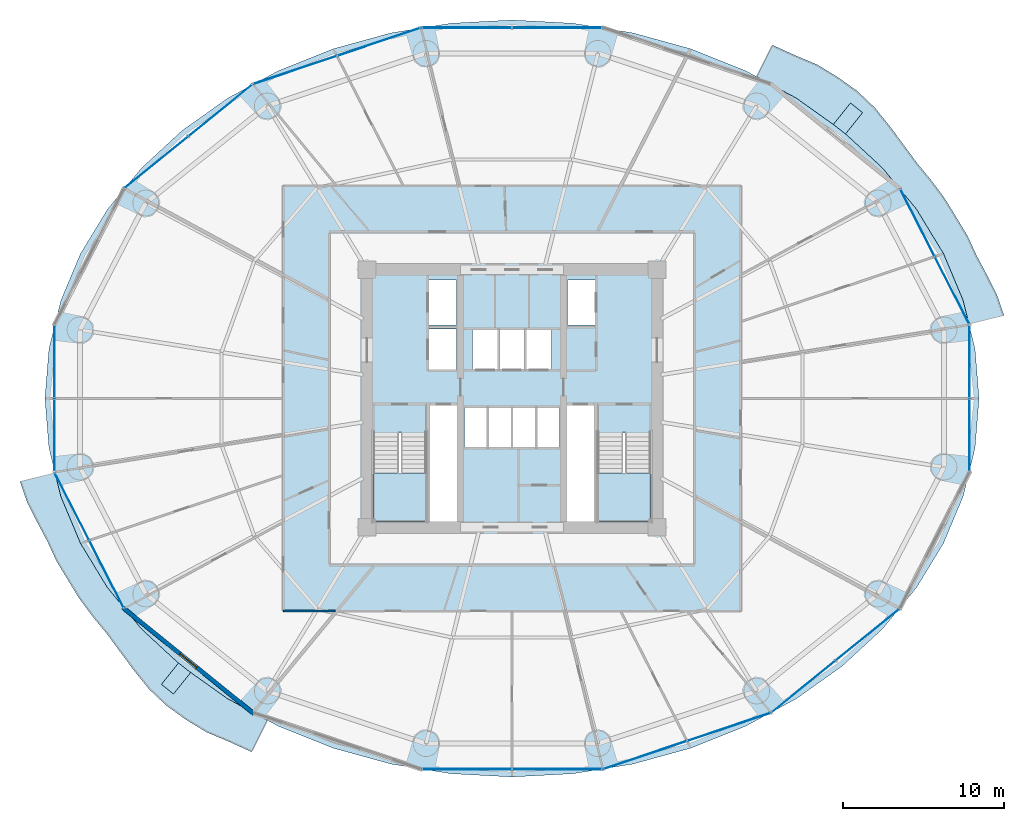
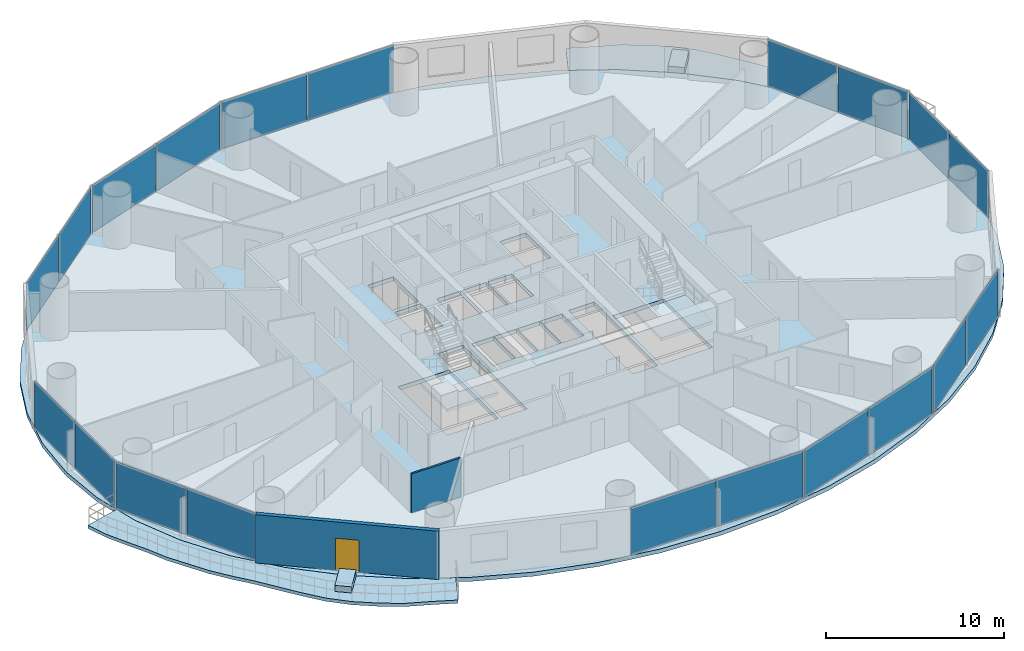
# One storey, part 21 of 29: 20 plates, 7 slabs, 2 walls, 1 door, 1 opening, 12 elements without a shape of their own.
"""IFC4 building model written with IfcOpenShell, lengths in metres."""

import ifcopenshell
import ifcopenshell.guid

model = None  # the IFC model being written
_history = None  # IfcOwnerHistory: only IFC2X3 demands one
_inside = {}  # id of a spatial element -> (the spatial element, [elements in it])
_under = {}  # id of a project, library or spatial element -> (it, [spatial elements below it])
_declared = {}  # id of a project -> (the project, [libraries it declares])
_typed = {}  # id of a type object -> (the type object, [elements of that type])
_made_of = {}  # id of a material, layer set ... -> (it, [elements and type objects made of it])


def new_model(schema):
    """Start an empty IFC model of exactly this schema.

    Asked for "IFC4X3", IfcOpenShell would pick the latest addendum, in which some entities
    have other attributes; the version numbers below select the first issue.
    IFC2X3 requires an IfcOwnerHistory on every rooted entity: one is made here for all.
    """
    global model, _history
    if schema == "IFC4X3":
        model = ifcopenshell.file(schema_version=(4, 3, 0, 0))
    else:
        model = ifcopenshell.file(schema=schema)
    _inside.clear()
    _under.clear()
    _declared.clear()
    _typed.clear()
    _made_of.clear()
    _history = None
    if model.schema == "IFC2X3":
        org = make("IfcOrganization", Name="unknown")
        user = make(
            "IfcPersonAndOrganization",
            ThePerson=make("IfcPerson", FamilyName="unknown"),
            TheOrganization=org,
        )
        app = make(
            "IfcApplication",
            ApplicationDeveloper=org,
            Version="unknown",
            ApplicationFullName="unknown",
            ApplicationIdentifier="unknown",
        )
        _history = make(
            "IfcOwnerHistory",
            OwningUser=user,
            OwningApplication=app,
            ChangeAction="ADDED",
            CreationDate=0,
        )
    return model


def make(cls, **values):
    """One entity of the class cls with the attributes given. An attribute that is None is left unset."""
    return model.create_entity(
        cls, **{name: value for name, value in values.items() if value is not None}
    )


def rooted(cls, **values):
    """An entity with a GlobalId (a new one), such as an element, a storey or a relation."""
    return make(cls, GlobalId=ifcopenshell.guid.new(), OwnerHistory=_history, **values)


def si_unit(unit_type, name, prefix=None):
    """IfcSIUnit, for example si_unit("LENGTHUNIT", "METRE", prefix="MILLI")."""
    return make("IfcSIUnit", UnitType=unit_type, Prefix=prefix, Name=name)


def assignment(units):
    """IfcUnitAssignment: the units of a project."""
    return None if units is None else make("IfcUnitAssignment", Units=units)


def point(xyz):
    """IfcCartesianPoint."""
    return None if xyz is None else make("IfcCartesianPoint", Coordinates=xyz)


def direction(xyz):
    """IfcDirection."""
    return None if xyz is None else make("IfcDirection", DirectionRatios=xyz)


def frame(location, z_axis=None, x_axis=None):
    """IfcAxis2Placement3D, a coordinate frame: its origin and axes. An axis left out is left unset."""
    return make(
        "IfcAxis2Placement3D",
        Location=point(location),
        Axis=direction(z_axis),
        RefDirection=direction(x_axis),
    )


def frame_2d(location, x_axis=None):
    """IfcAxis2Placement2D, a coordinate frame in the plane: its origin and x axis."""
    return make(
        "IfcAxis2Placement2D", Location=point(location), RefDirection=direction(x_axis)
    )


def origin():
    """The frame at (0, 0, 0) with its axes left unset."""
    return frame((0.0, 0.0, 0.0))


def origin_2d():
    """The frame at (0, 0) in the plane with its x axis left unset."""
    return frame_2d((0.0, 0.0))


def place(relative_to, where):
    """IfcLocalPlacement: puts the frame where relative to a parent placement (None: the world)."""
    return make(
        "IfcLocalPlacement", PlacementRelTo=relative_to, RelativePlacement=where
    )


def context(
    kind, dimensions, precision=None, world=None, true_north=None, identifier=None
):
    """IfcGeometricRepresentationContext, for example the 3D "Model" context."""
    return make(
        "IfcGeometricRepresentationContext",
        ContextIdentifier=identifier,
        ContextType=kind,
        CoordinateSpaceDimension=dimensions,
        Precision=precision,
        WorldCoordinateSystem=world,
        TrueNorth=true_north,
    )


def subcontext(parent, identifier, kind, view, scale=None):
    """IfcGeometricRepresentationSubContext, for example "Body" below "Model"."""
    return make(
        "IfcGeometricRepresentationSubContext",
        ContextIdentifier=identifier,
        ContextType=kind,
        ParentContext=parent,
        TargetScale=scale,
        TargetView=view,
    )


def project(units=None, contexts=None):
    """IfcProject with its units and contexts."""
    return rooted(
        "IfcProject",
        Name="project",
        RepresentationContexts=contexts,
        UnitsInContext=assignment(units),
    )


def spatial(cls, under=None, at=None, **own):
    """A site, building, storey or space (cls), placed at a placement, below another one or the project."""
    s = rooted(cls, ObjectPlacement=at, **own)
    if under is not None:
        _under.setdefault(under.id(), (under, []))[1].append(s)
    return s


def polyline(points):
    """IfcPolyline through the points."""
    return make("IfcPolyline", Points=[point(p) for p in points])


def profile(cls, at=None, kind="AREA", **sizes):
    """A parametric profile (cls). Its sizes go by their IFC names, for example OverallWidth=200.0."""
    return make(cls, ProfileType=kind, Position=at, **sizes)


def rectangle(**sizes):
    """IfcRectangleProfileDef."""
    return profile("IfcRectangleProfileDef", **sizes)


def outline(outer, holes=None, kind="AREA"):
    """IfcArbitraryClosedProfileDef: a profile drawn as a closed curve; with holes, ...WithVoids."""
    if holes is None:
        return make("IfcArbitraryClosedProfileDef", ProfileType=kind, OuterCurve=outer)
    return make(
        "IfcArbitraryProfileDefWithVoids",
        ProfileType=kind,
        OuterCurve=outer,
        InnerCurves=holes,
    )


def extrude(swept, where, along, depth):
    """IfcExtrudedAreaSolid: the profile swept, set in the frame where, extruded along a direction by depth."""
    return make(
        "IfcExtrudedAreaSolid",
        SweptArea=swept,
        Position=where,
        ExtrudedDirection=direction(along),
        Depth=depth,
    )


def shape(context_of_items, identifier, shape_type, items):
    """IfcShapeRepresentation: the items that make up one representation, for example the "Body"."""
    return make(
        "IfcShapeRepresentation",
        ContextOfItems=context_of_items,
        RepresentationIdentifier=identifier,
        RepresentationType=shape_type,
        Items=items,
    )


def source(mapping_origin, context_of_items, identifier, shape_type, items):
    """IfcRepresentationMap: a shape defined once, which mapped items show again and again."""
    return make(
        "IfcRepresentationMap",
        MappingOrigin=mapping_origin,
        MappedRepresentation=shape(context_of_items, identifier, shape_type, items),
    )


def transform(
    local_origin,
    x_axis=None,
    y_axis=None,
    z_axis=None,
    scale=None,
    scale2=None,
    scale3=None,
    uniform=True,
):
    """IfcCartesianTransformationOperator3D, or its non-uniform kind. x_axis, y_axis, z_axis: its Axis1, 2, 3."""
    if uniform:
        return make(
            "IfcCartesianTransformationOperator3D",
            Axis1=direction(x_axis),
            Axis2=direction(y_axis),
            LocalOrigin=point(local_origin),
            Scale=scale,
            Axis3=direction(z_axis),
        )
    return make(
        "IfcCartesianTransformationOperator3DnonUniform",
        Axis1=direction(x_axis),
        Axis2=direction(y_axis),
        LocalOrigin=point(local_origin),
        Scale=scale,
        Axis3=direction(z_axis),
        Scale2=scale2,
        Scale3=scale3,
    )


def mapped(mapping_source, mapping_target):
    """IfcMappedItem: shows the shape of a source again, moved by a transform."""
    return make(
        "IfcMappedItem", MappingSource=mapping_source, MappingTarget=mapping_target
    )


def material(Name=None, Category=None):
    """IfcMaterial."""
    return make("IfcMaterial", Name=Name, Category=Category)


def layer(
    of_material, thickness, ventilated=None, Name=None, Category=None, Priority=None
):
    """IfcMaterialLayer: one layer of a wall or slab, of a material (None: an air gap)."""
    return make(
        "IfcMaterialLayer",
        Material=of_material,
        LayerThickness=thickness,
        IsVentilated=ventilated,
        Name=Name,
        Category=Category,
        Priority=Priority,
    )


def layer_set(layers, Name=None):
    """IfcMaterialLayerSet."""
    return make("IfcMaterialLayerSet", MaterialLayers=layers, LayerSetName=Name)


def made_of(thing, what):
    """Note that an element or type object is made of a material, layer set ...; save() writes the relation."""
    if what is not None:
        _made_of.setdefault(what.id(), (what, []))[1].append(thing)
    return thing


def type_object(cls, material=None, **own):
    """A type object (cls), such as IfcWallType, which elements share."""
    return made_of(rooted(cls, **own), material)


def element(
    cls,
    number,
    at=None,
    inside=None,
    cuts=None,
    type_object=None,
    material=None,
    context=None,
    identifier="Body",
    shape_type=None,
    held_by="IfcProductDefinitionShape",
    body=None,
    shapes=None,
    **own,
):
    """One element of the class cls, such as IfcWall. Its Tag is "e" and its number.

    at: its placement. inside: the storey or other place that contains it. cuts: it is an
    opening in that element (IfcRelVoidsElement). A single representation is given by context,
    identifier, shape_type and body (its items); several are given by shapes. held_by: the class
    of the entity that holds the representations. save() writes the other relations.
    """
    e = rooted(cls, Tag="e%d" % number, ObjectPlacement=at, **own)
    if body is not None:
        shapes = [shape(context, identifier, shape_type, body)]
    if shapes is not None:
        e.Representation = make(held_by, Representations=shapes)
    if inside is not None:
        _inside.setdefault(inside.id(), (inside, []))[1].append(e)
    if cuts is not None:
        rooted(
            "IfcRelVoidsElement", RelatingBuildingElement=cuts, RelatedOpeningElement=e
        )
    if type_object is not None:
        _typed.setdefault(type_object.id(), (type_object, []))[1].append(e)
    return made_of(e, material)


def fill(opening, filler):
    """IfcRelFillsElement: the door or window that sits in an opening."""
    return rooted(
        "IfcRelFillsElement",
        RelatingOpeningElement=opening,
        RelatedBuildingElement=filler,
    )


def aggregate(whole, parts):
    """IfcRelAggregates: a whole, such as a stair, and the parts it consists of."""
    return rooted("IfcRelAggregates", RelatingObject=whole, RelatedObjects=parts)


def save(model, path):
    """Write the relations noted so far, then the file.

    IfcRelAggregates (storeys below a building ...), IfcRelContainedInSpatialStructure (elements
    in a storey), IfcRelDefinesByType, IfcRelAssociatesMaterial and IfcRelDeclares: one each for
    every whole, place, type object, material and project.
    """
    for whole, parts in _under.values():
        aggregate(whole, parts)
    for where, things in _inside.values():
        rooted(
            "IfcRelContainedInSpatialStructure",
            RelatedElements=things,
            RelatingStructure=where,
        )
    for kind, things in _typed.values():
        rooted("IfcRelDefinesByType", RelatedObjects=things, RelatingType=kind)
    for what, things in _made_of.values():
        rooted("IfcRelAssociatesMaterial", RelatedObjects=things, RelatingMaterial=what)
    for by, libraries in _declared.values():
        rooted("IfcRelDeclares", RelatingContext=by, RelatedDefinitions=libraries)
    model.write(path)


model = new_model("IFC4")

# Units and contexts
model_context = context("Model", 3, precision=1e-05, world=origin(), true_north=direction((-0.2419218956, 0.970295726276)))
body_context = subcontext(model_context, "Body", "Model", "MODEL_VIEW")
ifc_project = project(units=[si_unit("LENGTHUNIT", "METRE"), si_unit("AREAUNIT", "SQUARE_METRE"), si_unit("VOLUMEUNIT", "CUBIC_METRE"), si_unit("PLANEANGLEUNIT", "RADIAN"), si_unit("MASSUNIT", "GRAM", prefix="KILO")], contexts=[model_context])

# Site, building, storey
site_placement = place(None, origin())
site = spatial("IfcSite", under=ifc_project, at=site_placement, CompositionType="ELEMENT")
building_placement = place(site_placement, origin())
building = spatial("IfcBuilding", under=site, at=building_placement, Name="Cobrevalo Terracotta Tower", CompositionType="ELEMENT")
storey_placement = place(building_placement, frame((0.0, 0.0, 49.199951171875)))
storey = spatial("IfcBuildingStorey", under=building, at=storey_placement, Name="L12", CompositionType="ELEMENT", Elevation=49.199951171875)

# Stair, slab
ifc_material_1 = material(Name="Concrete C50", Category="concrete")
stair_type = type_object("IfcStairType", Name="Core protected escape dogleg stair 1600", PredefinedType="HALF_TURN_STAIR", material=ifc_material_1)
stair_1_placement = place(storey_placement, origin())
stair_1 = element("IfcStair", 1, at=stair_1_placement, inside=storey, type_object=stair_type, Name="L12 Protected exit stair ST-1", PredefinedType="HALF_TURN_STAIR")
ifc_layer_1 = layer(ifc_material_1, 0.199951171875)
ifc_layer_set_1 = layer_set([ifc_layer_1], Name="Concrete C50")
slab_type_1 = type_object("IfcSlabType", Name="Reinforced Concrete Stair Landing 200", PredefinedType="LANDING", material=ifc_layer_set_1)
slab_1_placement = place(storey_placement, frame((0.0, 0.0, 1.60009765625)))
slab_1 = element("IfcSlab", 2, at=slab_1_placement, type_object=slab_type_1, Name="ST-1 landing 1", PredefinedType="LANDING", context=body_context, shape_type="SweptSolid", body=[
    extrude(outline(polyline([(29.375, 22.179931640625), (29.375, 19.175048828125), (32.695068359375, 19.175048828125), (32.695068359375, 22.179931640625), (29.375, 22.179931640625)])), origin(), (0.0, 0.0, 1.0), 0.199951171875),
])
aggregate(stair_1, [slab_1])

stair_2_placement = place(storey_placement, origin())
stair_2 = element("IfcStair", 3, at=stair_2_placement, inside=storey, type_object=stair_type, Name="L12 Protected exit stair ST-2", PredefinedType="HALF_TURN_STAIR")
slab_2_placement = place(storey_placement, frame((0.0, 0.0, 1.60009765625)))
slab_2 = element("IfcSlab", 4, at=slab_2_placement, type_object=slab_type_1, Name="ST-2 landing 1", PredefinedType="LANDING", context=body_context, shape_type="SweptSolid", body=[
    extrude(outline(polyline([(43.304931640625, 22.179931640625), (43.304931640625, 19.175048828125), (46.625, 19.175048828125), (46.625, 22.179931640625), (43.304931640625, 22.179931640625)])), origin(), (0.0, 0.0, 1.0), 0.199951171875),
])
aggregate(stair_2, [slab_2])

# Slabs
ifc_material_2 = material(Name="Concrete C45", Category="concrete")
ifc_layer_2 = layer(ifc_material_2, 0.219970703125)
ifc_layer_set_2 = layer_set([ifc_layer_2], Name="Concrete C45")
slab_type_2 = type_object("IfcSlabType", Name="Spiralling cantilevered balcony lobe slab 220 mm", PredefinedType="FLOOR", material=ifc_layer_set_2)
slab_3_placement = place(storey_placement, frame((0.0, 0.0, -0.219970703125)))
element("IfcSlab", 5, at=slab_3_placement, inside=storey, type_object=slab_type_2, Name="L12 spiralling arc balcony slab lobe 1", PredefinedType="FLOOR", context=body_context, shape_type="SweptSolid", body=[
    extrude(outline(polyline([(68.548095703125, 31.958740234375), (68.10693359375, 33.23681640625), (67.493408203125, 34.4560546875), (66.855712890625, 35.653564453125), (66.29296875, 36.87939453125), (65.5830078125, 38.052490234375), (64.869140625, 39.220947265625), (64.041259765625, 40.332763671875), (63.152099609375, 41.412109375), (62.31787109375, 42.546875), (61.44775390625, 43.71728515625), (60.522705078125, 44.862060546875), (59.446044921875, 45.878173828125), (58.230224609375, 46.74951171875), (56.95654296875, 47.52392578125), (55.547119140625, 48.118408203125), (54.171630859375, 48.744873046875), (53.190673828125, 46.780029296875), (55.6552734375, 45.4453125), (58.507568359375, 43.41845703125), (61.0087890625, 41.107177734375), (63.116455078125, 38.551025390625), (64.79443359375, 35.7939453125), (66.013671875, 32.8828125), (66.373046875, 31.41943359375), (68.548095703125, 31.958740234375)])), origin(), (0.0, 0.0, 1.0), 0.219970703125),
])
slab_4_placement = place(storey_placement, frame((0.0, 0.0, -0.219970703125)))
element("IfcSlab", 6, at=slab_4_placement, inside=storey, type_object=slab_type_2, Name="L12 spiralling arc balcony slab lobe 2", PredefinedType="FLOOR", context=body_context, shape_type="SweptSolid", body=[
    extrude(outline(polyline([(7.451904296875, 21.64111328125), (7.89306640625, 20.363037109375), (8.506591796875, 19.14404296875), (9.144287109375, 17.9462890625), (9.70703125, 16.720703125), (10.4169921875, 15.54736328125), (11.130859375, 14.379150390625), (11.958740234375, 13.267333984375), (12.847900390625, 12.187744140625), (13.68212890625, 11.052978515625), (14.55224609375, 9.882568359375), (15.477294921875, 8.73779296875), (16.553955078125, 7.7216796875), (17.769775390625, 6.850341796875), (19.04345703125, 6.075927734375), (20.452880859375, 5.481689453125), (21.828369140625, 4.85498046875), (22.809326171875, 6.820068359375), (20.3447265625, 8.154541015625), (17.492431640625, 10.181640625), (14.9912109375, 12.492919921875), (12.883544921875, 15.049072265625), (11.20556640625, 17.80615234375), (9.986328125, 20.71728515625), (9.626953125, 22.180419921875), (7.451904296875, 21.64111328125)])), origin(), (0.0, 0.0, 1.0), 0.219970703125),
])
ifc_material_3 = material(Name="Precast concrete C45", Category="concrete")
ifc_layer_3 = layer(ifc_material_3, 0.419921875)
ifc_layer_set_3 = layer_set([ifc_layer_3], Name="Precast concrete C45")
slab_type_3 = type_object("IfcSlabType", Name="Structural tree planter trough base 420 mm", PredefinedType="USERDEFINED", material=ifc_layer_set_3)
slab_5_placement = place(storey_placement, origin())
element("IfcSlab", 7, at=slab_5_placement, inside=storey, type_object=slab_type_3, Name="L12 structural tree planter trough 1", ObjectType="PLANTER", PredefinedType="USERDEFINED", context=body_context, shape_type="SweptSolid", body=[
    extrude(outline(polyline([(58.706298828125, 43.2197265625), (59.766845703125, 44.548583984375), (59.016357421875, 45.1474609375), (57.9560546875, 43.818603515625), (58.706298828125, 43.2197265625)])), origin(), (0.0, 0.0, 1.0), 0.420166015625),
])
slab_6_placement = place(storey_placement, origin())
element("IfcSlab", 8, at=slab_6_placement, inside=storey, type_object=slab_type_3, Name="L12 structural tree planter trough 2", ObjectType="PLANTER", PredefinedType="USERDEFINED", context=body_context, shape_type="SweptSolid", body=[
    extrude(outline(polyline([(17.293701171875, 10.380126953125), (16.233154296875, 9.051513671875), (16.983642578125, 8.45263671875), (18.0439453125, 9.78125), (17.293701171875, 10.380126953125)])), origin(), (0.0, 0.0, 1.0), 0.420166015625),
])
ifc_layer_4 = layer(ifc_material_1, 0.280029296875)
ifc_layer_set_4 = layer_set([ifc_layer_4], Name="Concrete C50")
slab_type_4 = type_object("IfcSlabType", Name="Zone Z1 elliptical floor plate 280 mm", PredefinedType="FLOOR", material=ifc_layer_set_4)
slab_7_placement = place(storey_placement, frame((0.0, 0.0, -0.280029296875)))
element("IfcSlab", 9, at=slab_7_placement, inside=storey, type_object=slab_type_4, Name="L12 indoor elliptical floor slab", PredefinedType="FLOOR", context=body_context, shape_type="SweptSolid", body=[
    extrude(outline(polyline([(66.751953125, 23.732666015625), (66.011962890625, 20.7177734375), (64.79248046875, 17.806884765625), (63.11474609375, 15.050048828125), (61.00732421875, 12.494140625), (58.506103515625, 10.18310546875), (55.654052734375, 8.15625), (52.5, 6.448486328125), (49.097900390625, 5.0888671875), (45.505859375, 4.100830078125), (41.78515625, 3.5009765625), (38.0, 3.300048828125), (34.21484375, 3.5009765625), (30.494140625, 4.100830078125), (26.902099609375, 5.0888671875), (23.5, 6.448486328125), (20.345947265625, 8.15625), (17.493896484375, 10.18310546875), (14.99267578125, 12.494140625), (12.88525390625, 15.050048828125), (11.20751953125, 17.806884765625), (9.988037109375, 20.7177734375), (9.248046875, 23.732666015625), (9.0, 26.800048828125), (9.248046875, 29.867431640625), (9.988037109375, 32.88232421875), (11.20751953125, 35.79296875), (12.88525390625, 38.550048828125), (14.99267578125, 41.10595703125), (17.493896484375, 43.4169921875), (20.345947265625, 45.44384765625), (23.5, 47.151611328125), (26.902099609375, 48.51123046875), (30.494140625, 49.499267578125), (34.21484375, 50.098876953125), (38.0, 50.300048828125), (41.78515625, 50.098876953125), (45.505859375, 49.499267578125), (49.097900390625, 48.51123046875), (52.5, 47.151611328125), (55.654052734375, 45.44384765625), (58.506103515625, 43.4169921875), (61.00732421875, 41.10595703125), (63.11474609375, 38.550048828125), (64.79248046875, 35.79296875), (66.011962890625, 32.88232421875), (66.751953125, 29.867431640625), (67.0, 26.800048828125), (66.751953125, 23.732666015625)]), holes=[polyline([(32.695068359375, 19.175048828125), (32.695068359375, 24.659912109375), (29.375, 24.659912109375), (29.375, 19.175048828125), (32.695068359375, 19.175048828125)]), polyline([(34.574951171875, 19.175048828125), (34.574951171875, 26.360107421875), (32.919921875, 26.360107421875), (32.919921875, 19.175048828125), (34.574951171875, 19.175048828125)]), polyline([(36.47998046875, 23.800048828125), (36.47998046875, 26.25), (35.050048828125, 26.25), (35.050048828125, 23.800048828125), (36.47998046875, 23.800048828125)]), polyline([(37.9599609375, 23.800048828125), (37.9599609375, 26.25), (36.530029296875, 26.25), (36.530029296875, 23.800048828125), (37.9599609375, 23.800048828125)]), polyline([(37.1201171875, 28.60009765625), (37.1201171875, 31.050048828125), (35.550048828125, 31.050048828125), (35.550048828125, 28.60009765625), (37.1201171875, 28.60009765625)]), polyline([(34.550048828125, 28.60009765625), (34.550048828125, 31.10009765625), (32.85009765625, 31.10009765625), (32.85009765625, 28.60009765625), (34.550048828125, 28.60009765625)]), polyline([(34.550048828125, 31.35009765625), (34.550048828125, 34.14990234375), (32.85009765625, 34.14990234375), (32.85009765625, 31.35009765625), (34.550048828125, 31.35009765625)]), polyline([(46.625, 19.175048828125), (46.625, 24.659912109375), (43.304931640625, 24.659912109375), (43.304931640625, 19.175048828125), (46.625, 19.175048828125)]), polyline([(43.080078125, 19.175048828125), (43.080078125, 26.360107421875), (41.425048828125, 26.360107421875), (41.425048828125, 19.175048828125), (43.080078125, 19.175048828125)]), polyline([(39.469970703125, 23.800048828125), (39.469970703125, 26.25), (38.0400390625, 26.25), (38.0400390625, 23.800048828125), (39.469970703125, 23.800048828125)]), polyline([(40.949951171875, 23.800048828125), (40.949951171875, 26.25), (39.52001953125, 26.25), (39.52001953125, 23.800048828125), (40.949951171875, 23.800048828125)]), polyline([(38.780029296875, 28.60009765625), (38.780029296875, 31.050048828125), (37.219970703125, 31.050048828125), (37.219970703125, 28.60009765625), (38.780029296875, 28.60009765625)]), polyline([(40.449951171875, 28.60009765625), (40.449951171875, 31.050048828125), (38.8798828125, 31.050048828125), (38.8798828125, 28.60009765625), (40.449951171875, 28.60009765625)]), polyline([(43.14990234375, 31.35009765625), (43.14990234375, 34.14990234375), (41.449951171875, 34.14990234375), (41.449951171875, 31.35009765625), (43.14990234375, 31.35009765625)])]), origin(), (0.0, 0.0, 1.0), 0.280029296875),
])

# Curtain wall, plates
ifc_material_4 = material(Name="Anodized aluminium", Category="aluminium")
curtain_wall_type = type_object("IfcCurtainWallType", Name="Lower-tower unitised acoustic low-E curtain wall CW-U1", PredefinedType="NOTDEFINED", material=ifc_material_4)
curtain_wall_1_placement = place(storey_placement, origin())
curtain_wall_1 = element("IfcCurtainWall", 10, at=curtain_wall_1_placement, inside=storey, type_object=curtain_wall_type, Name="L12 curtain wall CW-L12-S06", PredefinedType="NOTDEFINED")
ifc_material_5 = material(Name="Solar-control low-E double glazing", Category="glass")
ifc_layer_5 = layer(ifc_material_5, 0.028076171875)
ifc_layer_set_5 = layer_set([ifc_layer_5], Name="Solar-control low-E double glazing")
plate_type = type_object("IfcPlateType", Name="Tower solar-control low-E vision glass panel 28 mm", PredefinedType="CURTAIN_PANEL", material=ifc_layer_set_5)
shared_shape_1 = source(origin(), body_context, "Body", "SweptSolid", [
    extrude(rectangle(XDim=5.023193359375, YDim=0.035888671875, at=origin_2d()), origin(), (0.0, 0.0, 1.0), 3.239990234375),
])
plate_1_placement = place(storey_placement, frame((19.891357421875, 44.68310546875, 0.0400390625), z_axis=(0.0, 0.0, 1.0), x_axis=(-0.777007547884, -0.629491279154, 0.0)))
plate_1 = element("IfcPlate", 11, at=plate_1_placement, type_object=plate_type, Name="CW-L12-S06 glazing panel B01", PredefinedType="CURTAIN_PANEL", context=body_context, shape_type="MappedRepresentation", body=[
    mapped(shared_shape_1, transform((0.0, 0.0, 0.0), scale=1.0)),
])
plate_2_placement = place(storey_placement, frame((15.926025390625, 41.470703125, 0.0400390625), z_axis=(0.0, 0.0, 1.0), x_axis=(-0.777007547884, -0.629491279154, 0.0)))
plate_2 = element("IfcPlate", 12, at=plate_2_placement, type_object=plate_type, Name="CW-L12-S06 glazing panel B02", PredefinedType="CURTAIN_PANEL", context=body_context, shape_type="MappedRepresentation", body=[
    mapped(shared_shape_1, transform((0.0, 0.0, 0.0), scale=1.0)),
])
aggregate(curtain_wall_1, [plate_1, plate_2])

curtain_wall_2_placement = place(storey_placement, origin())
curtain_wall_2 = element("IfcCurtainWall", 13, at=curtain_wall_2_placement, inside=storey, type_object=curtain_wall_type, Name="L12 curtain wall CW-L12-S14", PredefinedType="NOTDEFINED")
plate_3_placement = place(storey_placement, frame((56.108642578125, 8.916748046875, 0.0400390625), z_axis=(0.0, 0.0, 1.0), x_axis=(0.777007547884, 0.629491279154, 0.0)))
plate_3 = element("IfcPlate", 14, at=plate_3_placement, type_object=plate_type, Name="CW-L12-S14 glazing panel B01", PredefinedType="CURTAIN_PANEL", context=body_context, shape_type="MappedRepresentation", body=[
    mapped(shared_shape_1, transform((0.0, 0.0, 0.0), scale=1.0)),
])
plate_4_placement = place(storey_placement, frame((60.073974609375, 12.12939453125, 0.0400390625), z_axis=(0.0, 0.0, 1.0), x_axis=(0.777007547884, 0.629491279154, 0.0)))
plate_4 = element("IfcPlate", 15, at=plate_4_placement, type_object=plate_type, Name="CW-L12-S14 glazing panel B02", PredefinedType="CURTAIN_PANEL", context=body_context, shape_type="MappedRepresentation", body=[
    mapped(shared_shape_1, transform((0.0, 0.0, 0.0), scale=1.0)),
])
aggregate(curtain_wall_2, [plate_3, plate_4])

curtain_wall_3_placement = place(storey_placement, origin())
curtain_wall_3 = element("IfcCurtainWall", 16, at=curtain_wall_3_placement, inside=storey, type_object=curtain_wall_type, Name="L12 curtain wall CW-L12-S05", PredefinedType="NOTDEFINED")
shared_shape_2 = source(origin(), body_context, "Body", "SweptSolid", [
    extrude(rectangle(XDim=5.3876953125, YDim=0.035888671875, at=origin_2d()), origin(), (0.0, 0.0, 1.0), 3.239990234375),
])
plate_5_placement = place(storey_placement, frame((29.718505859375, 48.9365234375, 0.0400390625), z_axis=(0.0, 0.0, 1.0), x_axis=(-0.948044172593, -0.318138722592, 0.0)))
plate_5 = element("IfcPlate", 17, at=plate_5_placement, type_object=plate_type, Name="CW-L12-S05 glazing panel B01", PredefinedType="CURTAIN_PANEL", context=body_context, shape_type="MappedRepresentation", body=[
    mapped(shared_shape_2, transform((0.0, 0.0, 0.0), scale=1.0)),
])
plate_6_placement = place(storey_placement, frame((24.534912109375, 47.197021484375, 0.0400390625), z_axis=(0.0, 0.0, 1.0), x_axis=(-0.948044172593, -0.318138722592, 0.0)))
plate_6 = element("IfcPlate", 18, at=plate_6_placement, type_object=plate_type, Name="CW-L12-S05 glazing panel B02", PredefinedType="CURTAIN_PANEL", context=body_context, shape_type="MappedRepresentation", body=[
    mapped(shared_shape_2, transform((0.0, 0.0, 0.0), scale=1.0)),
])
aggregate(curtain_wall_3, [plate_5, plate_6])

curtain_wall_4_placement = place(storey_placement, origin())
curtain_wall_4 = element("IfcCurtainWall", 19, at=curtain_wall_4_placement, inside=storey, type_object=curtain_wall_type, Name="L12 curtain wall CW-L12-S13", PredefinedType="NOTDEFINED")
plate_7_placement = place(storey_placement, frame((46.281494140625, 4.663330078125, 0.0400390625), z_axis=(0.0, 0.0, 1.0), x_axis=(0.948044172593, 0.318138722592, 0.0)))
plate_7 = element("IfcPlate", 20, at=plate_7_placement, type_object=plate_type, Name="CW-L12-S13 glazing panel B01", PredefinedType="CURTAIN_PANEL", context=body_context, shape_type="MappedRepresentation", body=[
    mapped(shared_shape_2, transform((0.0, 0.0, 0.0), scale=1.0)),
])
plate_8_placement = place(storey_placement, frame((51.465087890625, 6.40283203125, 0.0400390625), z_axis=(0.0, 0.0, 1.0), x_axis=(0.948044172593, 0.318138722592, 0.0)))
plate_8 = element("IfcPlate", 21, at=plate_8_placement, type_object=plate_type, Name="CW-L12-S13 glazing panel B02", PredefinedType="CURTAIN_PANEL", context=body_context, shape_type="MappedRepresentation", body=[
    mapped(shared_shape_2, transform((0.0, 0.0, 0.0), scale=1.0)),
])
aggregate(curtain_wall_4, [plate_7, plate_8])

curtain_wall_5_placement = place(storey_placement, origin())
curtain_wall_5 = element("IfcCurtainWall", 22, at=curtain_wall_5_placement, inside=storey, type_object=curtain_wall_type, Name="L12 curtain wall CW-L12-S04", PredefinedType="NOTDEFINED")
shared_shape_3 = source(origin(), body_context, "Body", "SweptSolid", [
    extrude(rectangle(XDim=5.53173828125, YDim=0.035888671875, at=origin_2d()), origin(), (0.0, 0.0, 1.0), 3.239990234375),
])
plate_9_placement = place(storey_placement, frame((40.805908203125, 49.819091796875, 0.0400390625), z_axis=(0.0, 0.0, 1.0), x_axis=(-1.0, 0.0, 0.0)))
plate_9 = element("IfcPlate", 23, at=plate_9_placement, type_object=plate_type, Name="CW-L12-S04 glazing panel B01", PredefinedType="CURTAIN_PANEL", context=body_context, shape_type="MappedRepresentation", body=[
    mapped(shared_shape_3, transform((0.0, 0.0, 0.0), scale=1.0)),
])
plate_10_placement = place(storey_placement, frame((35.194091796875, 49.819091796875, 0.0400390625), z_axis=(0.0, 0.0, 1.0), x_axis=(-1.0, 0.0, 0.0)))
plate_10 = element("IfcPlate", 24, at=plate_10_placement, type_object=plate_type, Name="CW-L12-S04 glazing panel B02", PredefinedType="CURTAIN_PANEL", context=body_context, shape_type="MappedRepresentation", body=[
    mapped(shared_shape_3, transform((0.0, 0.0, 0.0), scale=1.0)),
])
aggregate(curtain_wall_5, [plate_9, plate_10])

curtain_wall_6_placement = place(storey_placement, origin())
curtain_wall_6 = element("IfcCurtainWall", 25, at=curtain_wall_6_placement, inside=storey, type_object=curtain_wall_type, Name="L12 curtain wall CW-L12-S12", PredefinedType="NOTDEFINED")
plate_11_placement = place(storey_placement, frame((35.194091796875, 3.781005859375, 0.0400390625), z_axis=(0.0, 0.0, 1.0), x_axis=(1.0, 0.0, 0.0)))
plate_11 = element("IfcPlate", 26, at=plate_11_placement, type_object=plate_type, Name="CW-L12-S12 glazing panel B01", PredefinedType="CURTAIN_PANEL", context=body_context, shape_type="MappedRepresentation", body=[
    mapped(shared_shape_3, transform((0.0, 0.0, 0.0), scale=1.0)),
])
plate_12_placement = place(storey_placement, frame((40.805908203125, 3.781005859375, 0.0400390625), z_axis=(0.0, 0.0, 1.0), x_axis=(1.0, 0.0, 0.0)))
plate_12 = element("IfcPlate", 27, at=plate_12_placement, type_object=plate_type, Name="CW-L12-S12 glazing panel B02", PredefinedType="CURTAIN_PANEL", context=body_context, shape_type="MappedRepresentation", body=[
    mapped(shared_shape_3, transform((0.0, 0.0, 0.0), scale=1.0)),
])
aggregate(curtain_wall_6, [plate_11, plate_12])

curtain_wall_7_placement = place(storey_placement, origin())
curtain_wall_7 = element("IfcCurtainWall", 28, at=curtain_wall_7_placement, inside=storey, type_object=curtain_wall_type, Name="L12 curtain wall CW-L12-S08", PredefinedType="NOTDEFINED")
shared_shape_4 = source(origin(), body_context, "Body", "SweptSolid", [
    extrude(rectangle(XDim=4.458740234375, YDim=0.035888671875, at=origin_2d()), origin(), (0.0, 0.0, 1.0), 3.239990234375),
])
plate_13_placement = place(storey_placement, frame((9.586669921875, 29.0693359375, 0.0400390625), z_axis=(0.0, 0.0, 1.0), x_axis=(0.0, -1.0, 0.0)))
plate_13 = element("IfcPlate", 29, at=plate_13_placement, type_object=plate_type, Name="CW-L12-S08 glazing panel B01", PredefinedType="CURTAIN_PANEL", context=body_context, shape_type="MappedRepresentation", body=[
    mapped(shared_shape_4, transform((0.0, 0.0, 0.0), scale=1.0)),
])
plate_14_placement = place(storey_placement, frame((9.586669921875, 24.530517578125, 0.0400390625), z_axis=(0.0, 0.0, 1.0), x_axis=(0.0, -1.0, 0.0)))
plate_14 = element("IfcPlate", 30, at=plate_14_placement, type_object=plate_type, Name="CW-L12-S08 glazing panel B02", PredefinedType="CURTAIN_PANEL", context=body_context, shape_type="MappedRepresentation", body=[
    mapped(shared_shape_4, transform((0.0, 0.0, 0.0), scale=1.0)),
])
aggregate(curtain_wall_7, [plate_13, plate_14])

curtain_wall_8_placement = place(storey_placement, origin())
curtain_wall_8 = element("IfcCurtainWall", 31, at=curtain_wall_8_placement, inside=storey, type_object=curtain_wall_type, Name="L12 curtain wall CW-L12-S16", PredefinedType="NOTDEFINED")
plate_15_placement = place(storey_placement, frame((66.413330078125, 24.530517578125, 0.0400390625), z_axis=(0.0, 0.0, 1.0), x_axis=(0.0, 1.0, 0.0)))
plate_15 = element("IfcPlate", 32, at=plate_15_placement, type_object=plate_type, Name="CW-L12-S16 glazing panel B01", PredefinedType="CURTAIN_PANEL", context=body_context, shape_type="MappedRepresentation", body=[
    mapped(shared_shape_4, transform((0.0, 0.0, 0.0), scale=1.0)),
])
plate_16_placement = place(storey_placement, frame((66.413330078125, 29.0693359375, 0.0400390625), z_axis=(0.0, 0.0, 1.0), x_axis=(0.0, 1.0, 0.0)))
plate_16 = element("IfcPlate", 33, at=plate_16_placement, type_object=plate_type, Name="CW-L12-S16 glazing panel B02", PredefinedType="CURTAIN_PANEL", context=body_context, shape_type="MappedRepresentation", body=[
    mapped(shared_shape_4, transform((0.0, 0.0, 0.0), scale=1.0)),
])
aggregate(curtain_wall_8, [plate_15, plate_16])

curtain_wall_9_placement = place(storey_placement, origin())
curtain_wall_9 = element("IfcCurtainWall", 34, at=curtain_wall_9_placement, inside=storey, type_object=curtain_wall_type, Name="L12 curtain wall CW-L12-S01", PredefinedType="NOTDEFINED")
shared_shape_5 = source(origin(), body_context, "Body", "SweptSolid", [
    extrude(rectangle(XDim=4.631103515625, YDim=0.035888671875, at=origin_2d()), origin(), (0.0, 0.0, 1.0), 3.239990234375),
])
plate_17_placement = place(storey_placement, frame((65.32275390625, 33.51171875, 0.0400390625), z_axis=(0.0, 0.0, 1.0), x_axis=(-0.45523102861, 0.890373354605, 0.0)))
plate_17 = element("IfcPlate", 35, at=plate_17_placement, type_object=plate_type, Name="CW-L12-S01 glazing panel B01", PredefinedType="CURTAIN_PANEL", context=body_context, shape_type="MappedRepresentation", body=[
    mapped(shared_shape_5, transform((0.0, 0.0, 0.0), scale=1.0)),
])
plate_18_placement = place(storey_placement, frame((63.17822265625, 37.706298828125, 0.0400390625), z_axis=(0.0, 0.0, 1.0), x_axis=(-0.45523102861, 0.890373354605, 0.0)))
plate_18 = element("IfcPlate", 36, at=plate_18_placement, type_object=plate_type, Name="CW-L12-S01 glazing panel B02", PredefinedType="CURTAIN_PANEL", context=body_context, shape_type="MappedRepresentation", body=[
    mapped(shared_shape_5, transform((0.0, 0.0, 0.0), scale=1.0)),
])
aggregate(curtain_wall_9, [plate_17, plate_18])

curtain_wall_10_placement = place(storey_placement, origin())
curtain_wall_10 = element("IfcCurtainWall", 37, at=curtain_wall_10_placement, inside=storey, type_object=curtain_wall_type, Name="L12 curtain wall CW-L12-S09", PredefinedType="NOTDEFINED")
plate_19_placement = place(storey_placement, frame((10.67724609375, 20.08837890625, 0.0400390625), z_axis=(0.0, 0.0, 1.0), x_axis=(0.45523102861, -0.890373354605, 0.0)))
plate_19 = element("IfcPlate", 38, at=plate_19_placement, type_object=plate_type, Name="CW-L12-S09 glazing panel B01", PredefinedType="CURTAIN_PANEL", context=body_context, shape_type="MappedRepresentation", body=[
    mapped(shared_shape_5, transform((0.0, 0.0, 0.0), scale=1.0)),
])
plate_20_placement = place(storey_placement, frame((12.82177734375, 15.893798828125, 0.0400390625), z_axis=(0.0, 0.0, 1.0), x_axis=(0.45523102861, -0.890373354605, 0.0)))
plate_20 = element("IfcPlate", 39, at=plate_20_placement, type_object=plate_type, Name="CW-L12-S09 glazing panel B02", PredefinedType="CURTAIN_PANEL", context=body_context, shape_type="MappedRepresentation", body=[
    mapped(shared_shape_5, transform((0.0, 0.0, 0.0), scale=1.0)),
])
aggregate(curtain_wall_10, [plate_19, plate_20])

# Wall, opening, door
ifc_material_6 = material(Name="Autoclaved aerated concrete block", Category="concrete")
ifc_layer_6 = layer(ifc_material_6, 0.260009765625)
ifc_layer_set_6 = layer_set([ifc_layer_6], Name="Autoclaved aerated concrete block")
wall_type_1 = type_object("IfcWallType", Name="Recessed balcony loggia insulated exterior wall 260 mm", PredefinedType="SOLIDWALL", material=ifc_layer_set_6)
wall_1_placement = place(storey_placement, frame((13.85009765625, 13.81103515625, 0.0), z_axis=(0.0, 0.0, 1.0), x_axis=(0.777016782851, -0.629479879875, 0.0)))
wall_1 = element("IfcWall", 40, at=wall_1_placement, inside=storey, type_object=wall_type_1, Name="L12 balcony loggia wall S10", PredefinedType="SOLIDWALL", context=body_context, shape_type="SweptSolid", body=[
    extrude(rectangle(XDim=10.446533203125, YDim=0.260009765625, at=frame_2d((5.22314453125, 0.0))), origin(), (0.0, 0.0, 1.0), 3.320068359375),
])
opening_placement = place(wall_1_placement, frame((4.54833984375, 0.0, 0.0)))
opening = element("IfcOpeningElement", 41, at=opening_placement, cuts=wall_1, Name="Opening ED-05", PredefinedType="OPENING", context=body_context, shape_type="SweptSolid", body=[
    extrude(rectangle(XDim=1.35009765625, YDim=2.199951171875, at=frame_2d((0.675048828125, 1.10009765625))), frame((0.0, 0.14013671875, 0.0), z_axis=(0.0, -1.0, 0.0), x_axis=(1.0, 0.0, 0.0)), (0.0, 0.0, 1.0), 0.280029296875),
])
ifc_material_7 = material(Name="Anodized aluminium and laminated glass", Category="aluminium")
door_type = type_object("IfcDoorType", Name="Suite balcony acoustic glazed terrace door 1350x2200", OperationType="NOTDEFINED", PredefinedType="DOOR", material=ifc_material_7)
shared_shape_6 = source(origin(), body_context, "Body", "SweptSolid", [
    extrude(rectangle(XDim=1.35009765625, YDim=2.199951171875, at=frame_2d((0.675048828125, 1.10009765625))), frame((0.0, 0.02490234375, 0.0), z_axis=(0.0, -1.0, 0.0), x_axis=(1.0, 0.0, 0.0)), (0.0, 0.0, 1.0), 0.050048828125),
])
door_placement = place(opening_placement, frame((1.35009765625, 0.0, 0.0), z_axis=(0.0, 0.0, 1.0), x_axis=(-1.0, 0.0, 0.0)))
door = element("IfcDoor", 42, at=door_placement, inside=storey, type_object=door_type, Name="L12 glazed balcony terrace door 2", OperationType="SINGLE_SWING_RIGHT", OverallHeight=2.199951171875, OverallWidth=1.35009765625, PredefinedType="DOOR", context=body_context, shape_type="MappedRepresentation", body=[
    mapped(shared_shape_6, transform((0.0, 0.0, 0.0), scale=1.0)),
])
fill(opening, door)

# Wall
ifc_material_8 = material(Name="Gypsum board on steel stud", Category="steel")
ifc_layer_7 = layer(ifc_material_8, 0.1201171875)
ifc_layer_set_7 = layer_set([ifc_layer_7], Name="Gypsum board on steel stud")
wall_type_2 = type_object("IfcWallType", Name="Residential internal acoustic stud partition 120 mm", PredefinedType="PARTITIONING", material=ifc_layer_set_7)
wall_2_placement = place(storey_placement, frame((27.017822265625, 13.60498046875, 0.0), z_axis=(0.0, 0.0, 1.0), x_axis=(-1.0, 0.0, 0.0)))
element("IfcWall", 43, at=wall_2_placement, inside=storey, type_object=wall_type_2, Name="L12 interior partition IW-L12-U3-RING0_0", PredefinedType="PARTITIONING", context=body_context, shape_type="SweptSolid", body=[
    extrude(rectangle(XDim=3.212890625, YDim=0.1201171875, at=frame_2d((1.6064453125, 0.0))), origin(), (0.0, 0.0, 1.0), 2.68798828125),
])

save(model, "model.ifc")
